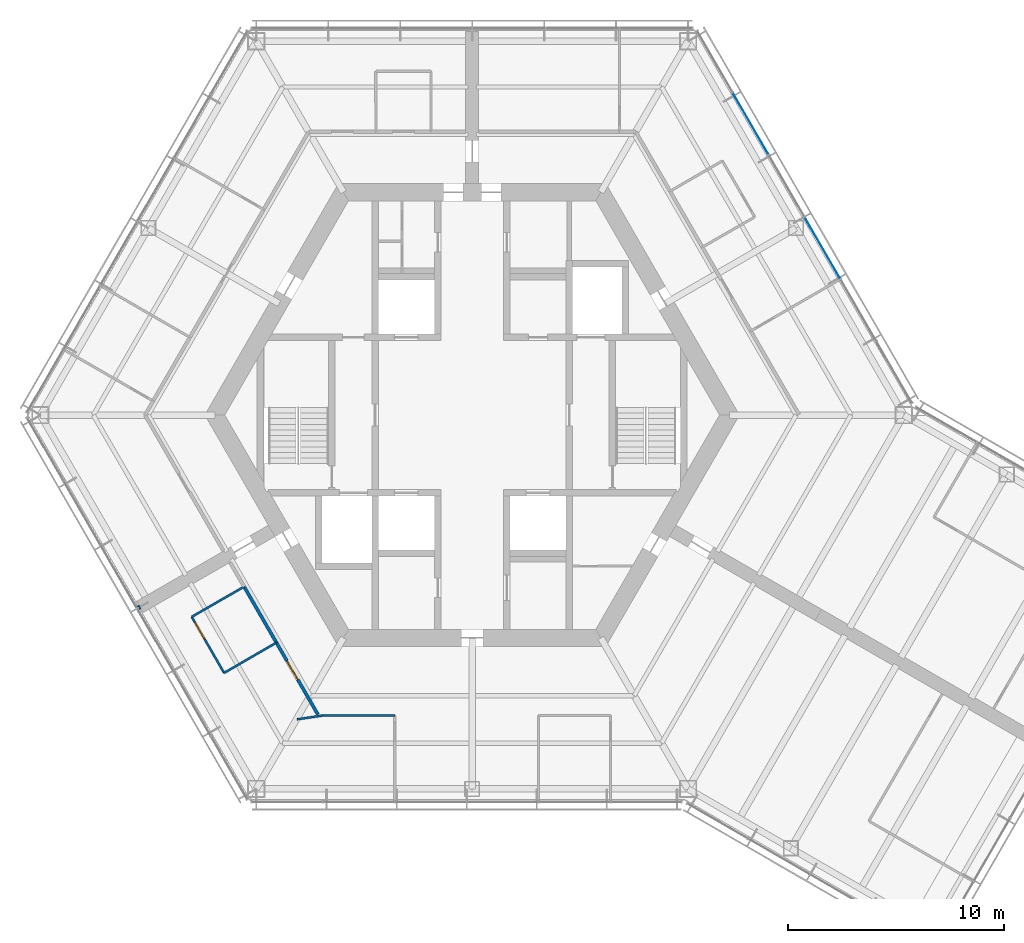
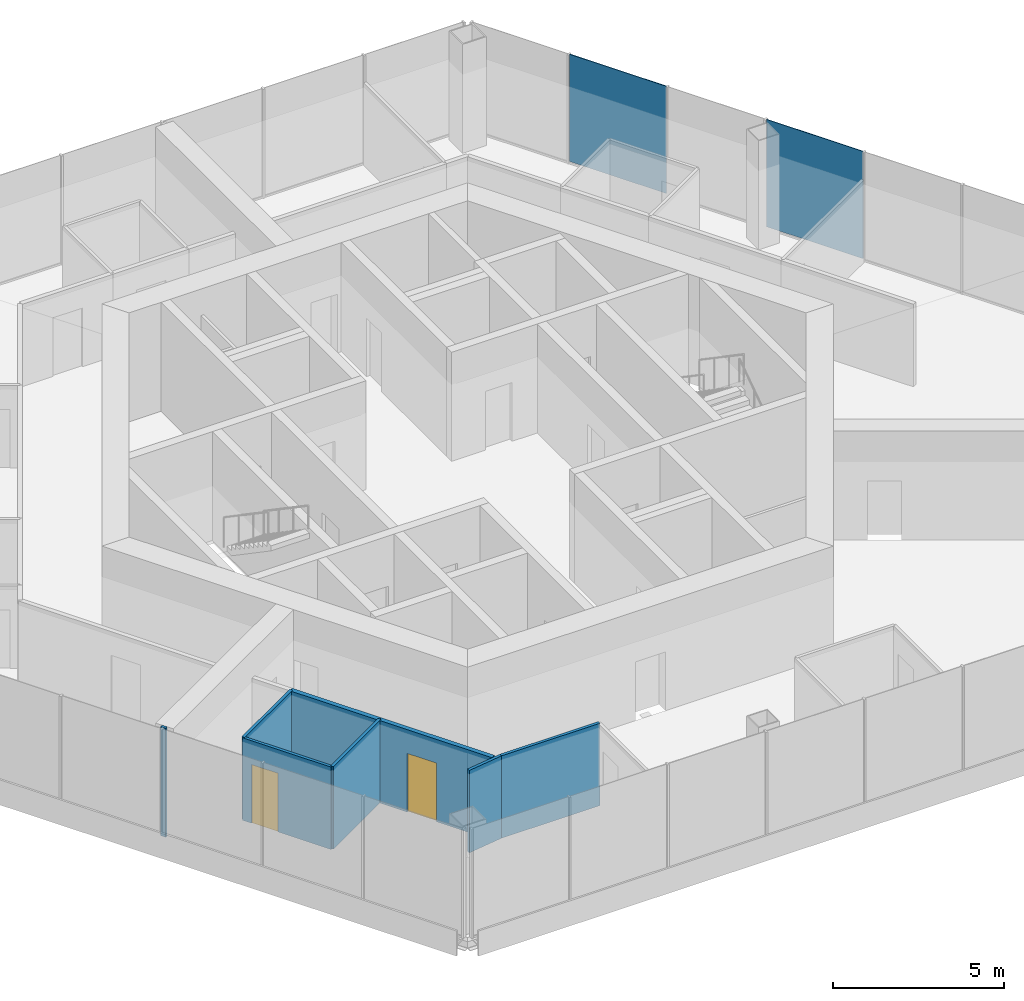
# One storey, part 9 of 16: 8 walls, 2 doors, 2 plates, 2 openings, 1 element without a shape of its own.
"""IFC4 building model written with IfcOpenShell, lengths in metres."""

from ifc_helpers import new_model, si_unit, direction, frame, frame_2d, origin, origin_2d, place, context, subcontext, project, spatial, rectangle, extrude, material, layer, layer_set, type_object, element, fill, aggregate, save


model = new_model("IFC4")

# Units and contexts
model_context = context("Model", 3, precision=1e-05, world=origin(), true_north=direction((0.0, 1.0)))
body_context = subcontext(model_context, "Body", "Model", "MODEL_VIEW")
ifc_project = project(units=[si_unit("LENGTHUNIT", "METRE"), si_unit("AREAUNIT", "SQUARE_METRE"), si_unit("VOLUMEUNIT", "CUBIC_METRE"), si_unit("PLANEANGLEUNIT", "RADIAN"), si_unit("MASSUNIT", "GRAM", prefix="KILO")], contexts=[model_context])

# Site, building, storey
site_placement = place(None, origin())
site = spatial("IfcSite", under=ifc_project, at=site_placement, CompositionType="ELEMENT")
building_placement = place(site_placement, origin())
building = spatial("IfcBuilding", under=site, at=building_placement, Name="Kasaneha Research Tower", CompositionType="ELEMENT")
storey_placement = place(building_placement, frame((0.0, 0.0, 259.60009765625)))
storey = spatial("IfcBuildingStorey", under=building, at=storey_placement, Name="L65", CompositionType="ELEMENT", Elevation=259.60009765625)

# Curtain wall, plates
ifc_material_1 = material(Name="Glass and aluminium", Category="aluminium")
curtain_wall_type = type_object("IfcCurtainWallType", Name="High-rise office curtain wall", PredefinedType="USERDEFINED", material=ifc_material_1)
curtain_wall_placement = place(storey_placement, origin())
curtain_wall = element("IfcCurtainWall", 1, at=curtain_wall_placement, inside=storey, type_object=curtain_wall_type, Name="CW-O3 L65 run 01a", ObjectType="UNITISED CURTAIN WALL", PredefinedType="USERDEFINED")
ifc_material_2 = material(Name="Laminated double glazing", Category="glass")
ifc_layer_1 = layer(ifc_material_2, 0.02392578125)
ifc_layer_set_1 = layer_set([ifc_layer_1], Name="CW-O3 glazed panel")
plate_type = type_object("IfcPlateType", Name="CW-O3 glazed panel", PredefinedType="CURTAIN_PANEL", material=ifc_layer_set_1)
plate_1_placement = place(storey_placement, frame((16.2255859375, 7.737548828125, 0.06005859375), z_axis=(0.0, 0.0, 1.0), x_axis=(-0.499999979232, 0.866025415775, 0.0)))
plate_1 = element("IfcPlate", 2, at=plate_1_placement, type_object=plate_type, Name="CW-O3 panel 3", PredefinedType="CURTAIN_PANEL", context=body_context, shape_type="SweptSolid", body=[
    extrude(rectangle(XDim=3.27099609375, YDim=0.02392578125, at=origin_2d()), origin(), (0.0, 0.0, 1.0), 3.840087890625),
])
plate_2_placement = place(storey_placement, frame((12.89453125, 13.5068359375, 0.06005859375), z_axis=(0.0, 0.0, 1.0), x_axis=(-0.499999979232, 0.866025415775, 0.0)))
plate_2 = element("IfcPlate", 3, at=plate_2_placement, type_object=plate_type, Name="CW-O3 panel 5", PredefinedType="CURTAIN_PANEL", context=body_context, shape_type="SweptSolid", body=[
    extrude(rectangle(XDim=3.27099609375, YDim=0.02392578125, at=origin_2d()), origin(), (0.0, 0.0, 1.0), 3.840087890625),
])
aggregate(curtain_wall, [plate_1, plate_2])

# Wall
ifc_material_3 = material(Name="Gypsum board on steel studs, one layer each side", Category="steel")
ifc_layer_2 = layer(ifc_material_3, 0.10009765625)
ifc_layer_set_2 = layer_set([ifc_layer_2], Name="Office partition 100")
wall_type_1 = type_object("IfcWallType", Name="Office partition 100", PredefinedType="PARTITIONING", material=ifc_layer_set_2)
wall_1_placement = place(storey_placement, frame((-12.991455078125, -9.34814453125, 0.0), z_axis=(0.0, 0.0, 1.0), x_axis=(0.866817750494, 0.498625097071, 0.0)))
element("IfcWall", 4, at=wall_1_placement, inside=storey, type_object=wall_type_1, Name="Office partition FBS04 L65", PredefinedType="PARTITIONING", context=body_context, shape_type="SweptSolid", body=[
    extrude(rectangle(XDim=2.80029296875, YDim=0.10009765625, at=frame_2d((1.400146484375, 0.0))), origin(), (0.0, 0.0, 1.0), 2.949951171875),
])

# Wall, opening, door
wall_2_placement = place(storey_placement, frame((-11.491455078125, -11.9462890625, 0.0), z_axis=(0.0, 0.0, 1.0), x_axis=(-0.499990139034, 0.866031096941, 0.0)))
wall_2 = element("IfcWall", 5, at=wall_2_placement, inside=storey, type_object=wall_type_1, Name="Office partition FBS05 L65", PredefinedType="PARTITIONING", context=body_context, shape_type="SweptSolid", body=[
    extrude(rectangle(XDim=3.0, YDim=0.10009765625, at=frame_2d((1.5, 0.0))), origin(), (0.0, 0.0, 1.0), 2.949951171875),
])
opening_1_placement = place(wall_2_placement, frame((1.800048828125, 0.0, 0.0)))
opening_1 = element("IfcOpeningElement", 6, at=opening_1_placement, cuts=wall_2, Name="Opening L65-D35", PredefinedType="OPENING", context=body_context, shape_type="SweptSolid", body=[
    extrude(rectangle(XDim=0.89990234375, YDim=2.10009765625, at=frame_2d((0.449951171875, 1.050048828125))), frame((0.0, 0.06005859375, 0.0), z_axis=(0.0, -1.0, 0.0), x_axis=(1.0, 0.0, 0.0)), (0.0, 0.0, 1.0), 0.1201171875),
])
ifc_material_4 = material(Name="Timber veneer", Category="wood")
door_type_1 = type_object("IfcDoorType", Name="Office door 900x2100", OperationType="SINGLE_SWING_LEFT", PredefinedType="DOOR", material=ifc_material_4)
door_1_placement = place(opening_1_placement, origin())
door_1 = element("IfcDoor", 7, at=door_1_placement, inside=storey, type_object=door_type_1, Name="Pantry door L65-D35", OperationType="SINGLE_SWING_RIGHT", OverallHeight=2.10009765625, OverallWidth=0.89990234375, PredefinedType="DOOR", context=body_context, shape_type="SweptSolid", body=[
    extrude(rectangle(XDim=0.89990234375, YDim=2.10009765625, at=frame_2d((0.449951171875, 1.050048828125))), frame((0.0, 0.02490234375, 0.0), z_axis=(0.0, -1.0, 0.0), x_axis=(1.0, 0.0, 0.0)), (0.0, 0.0, 1.0), 0.050048828125),
])
fill(opening_1, door_1)

# Walls
wall_3_placement = place(storey_placement, frame((-9.06884765625, -10.542236328125, 0.0), z_axis=(0.0, 0.0, 1.0), x_axis=(-0.865195372903, -0.501434907746, 0.0)))
element("IfcWall", 8, at=wall_3_placement, inside=storey, type_object=wall_type_1, Name="Office partition FBS06 L65", PredefinedType="PARTITIONING", context=body_context, shape_type="SweptSolid", body=[
    extrude(rectangle(XDim=2.800048828125, YDim=0.10009765625, at=frame_2d((1.39990234375, 0.0))), origin(), (0.0, 0.0, 1.0), 2.949951171875),
])
wall_4_placement = place(storey_placement, frame((-8.1162109375, -14.09765625, 0.0), z_axis=(0.0, 0.0, 1.0), x_axis=(0.989162387444, 0.146825649214, 0.0)))
element("IfcWall", 9, at=wall_4_placement, inside=storey, type_object=wall_type_1, Name="Office partition FCS03 L65", PredefinedType="PARTITIONING", context=body_context, shape_type="SweptSolid", body=[
    extrude(rectangle(XDim=1.2138671875, YDim=0.10009765625, at=frame_2d((0.60693359375, 0.0))), origin(), (0.0, 0.0, 1.0), 2.949951171875),
])
wall_5_placement = place(storey_placement, frame((-6.91552734375, -13.91943359375, 0.0), z_axis=(0.0, 0.0, 1.0), x_axis=(0.999999957026, -0.000293169146, 0.0)))
element("IfcWall", 10, at=wall_5_placement, inside=storey, type_object=wall_type_1, Name="Office partition FCS04 L65", PredefinedType="PARTITIONING", context=body_context, shape_type="SweptSolid", body=[
    extrude(rectangle(XDim=3.3310546875, YDim=0.10009765625, at=frame_2d((1.66552734375, 0.0))), origin(), (0.0, 0.0, 1.0), 2.949951171875),
])
ifc_material_5 = material(Name="Gypsum board on steel studs, two layers each side", Category="steel")
ifc_layer_3 = layer(ifc_material_5, 0.14990234375)
ifc_layer_set_3 = layer_set([ifc_layer_3], Name="Suite partition 150")
wall_type_2 = type_object("IfcWallType", Name="Suite partition 150", PredefinedType="PARTITIONING", material=ifc_layer_set_3)
wall_6_placement = place(storey_placement, frame((-9.064208984375, -10.550537109375, 0.0), z_axis=(0.0, 0.0, 1.0), x_axis=(-0.499977562641, 0.866038357612, 0.0)))
element("IfcWall", 11, at=wall_6_placement, inside=storey, type_object=wall_type_2, Name="Suite partition FBS01 L65", PredefinedType="PARTITIONING", context=body_context, shape_type="SweptSolid", body=[
    extrude(rectangle(XDim=3.010009765625, YDim=0.14990234375, at=frame_2d((1.5048828125, 0.0))), origin(), (0.0, 0.0, 1.0), 2.949951171875),
])

# Wall, opening, door
wall_7_placement = place(storey_placement, frame((-7.144287109375, -13.875732421875, 0.0), z_axis=(0.0, 0.0, 1.0), x_axis=(-0.499993312796, 0.866029264609, 0.0)))
wall_7 = element("IfcWall", 12, at=wall_7_placement, inside=storey, type_object=wall_type_2, Name="Suite partition FBS03 L65", PredefinedType="PARTITIONING", context=body_context, shape_type="SweptSolid", body=[
    extrude(rectangle(XDim=3.84912109375, YDim=0.14990234375, at=frame_2d((1.924560546875, 0.0))), origin(), (0.0, 0.0, 1.0), 2.949951171875),
])
opening_2_placement = place(wall_7_placement, frame((1.869384765625, 0.0, 0.0)))
opening_2 = element("IfcOpeningElement", 13, at=opening_2_placement, cuts=wall_7, Name="Opening L65-D34", PredefinedType="OPENING", context=body_context, shape_type="SweptSolid", body=[
    extrude(rectangle(XDim=1.0, YDim=2.10009765625, at=frame_2d((0.5, 1.050048828125))), frame((0.0, 0.0849609375, 0.0), z_axis=(0.0, -1.0, 0.0), x_axis=(1.0, 0.0, 0.0)), (0.0, 0.0, 1.0), 0.169921875),
])
ifc_material_6 = material(Name="Steel", Category="steel")
door_type_2 = type_object("IfcDoorType", Name="Suite entrance door FD60 1000x2100", OperationType="NOTDEFINED", PredefinedType="DOOR", material=ifc_material_6)
door_2_placement = place(opening_2_placement, origin())
door_2 = element("IfcDoor", 14, at=door_2_placement, inside=storey, type_object=door_type_2, Name="Suite entrance door L65-D34", OperationType="SINGLE_SWING_RIGHT", OverallHeight=2.10009765625, OverallWidth=1.0, PredefinedType="DOOR", context=body_context, shape_type="SweptSolid", body=[
    extrude(rectangle(XDim=1.0, YDim=2.10009765625, at=frame_2d((0.5, 1.050048828125))), frame((0.0, 0.02490234375, 0.0), z_axis=(0.0, -1.0, 0.0), x_axis=(1.0, 0.0, 0.0)), (0.0, 0.0, 1.0), 0.050048828125),
])
fill(opening_2, door_2)

# Wall
ifc_material_7 = material(Name="Gypsum board on steel studs, two layers each side", Category="steel")
ifc_layer_4 = layer(ifc_material_7, 0.175048828125)
ifc_layer_set_4 = layer_set([ifc_layer_4], Name="Tenancy fire partition 175")
wall_type_3 = type_object("IfcWallType", Name="Tenancy fire partition 175", PredefinedType="PARTITIONING", material=ifc_layer_set_4)
wall_8_placement = place(storey_placement, frame((-15.3896484375, -8.88525390625, 0.0), z_axis=(0.0, 0.0, 1.0), x_axis=(-0.866472036435, -0.499225610396, 0.0)))
element("IfcWall", 15, at=wall_8_placement, inside=storey, type_object=wall_type_3, Name="Spine wall closer SW4-600 L65", PredefinedType="PARTITIONING", context=body_context, shape_type="SweptSolid", body=[
    extrude(rectangle(XDim=0.085205078125, YDim=0.175048828125, at=frame_2d((0.04248046875, 0.0))), origin(), (0.0, 0.0, 1.0), 3.89990234375),
])

save(model, "model.ifc")
